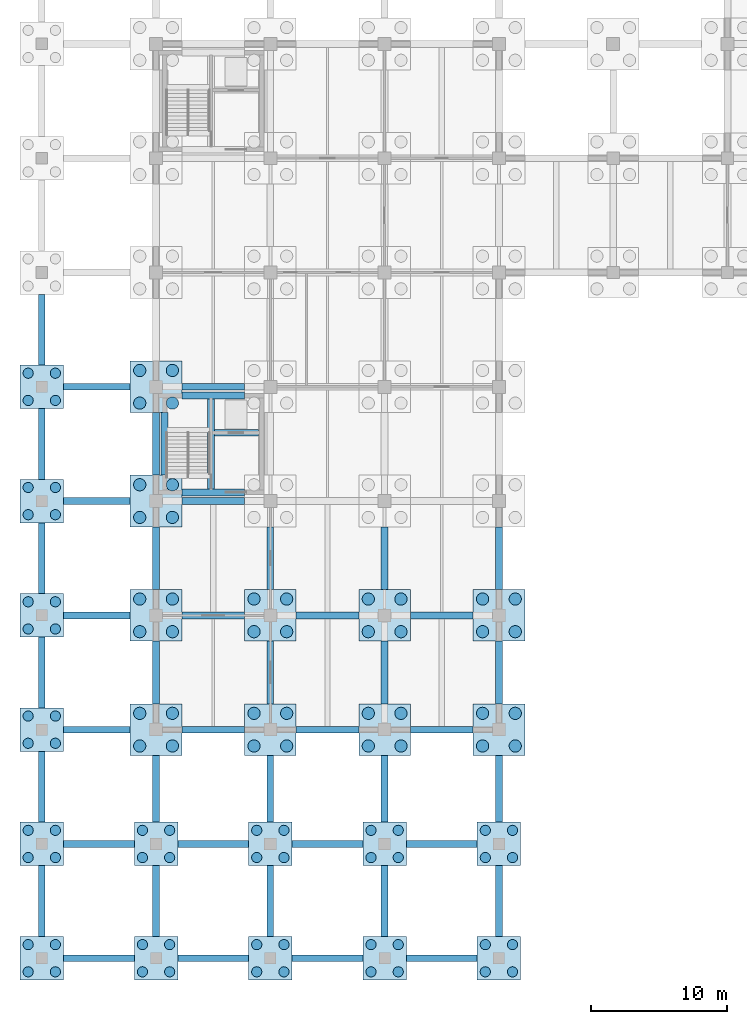
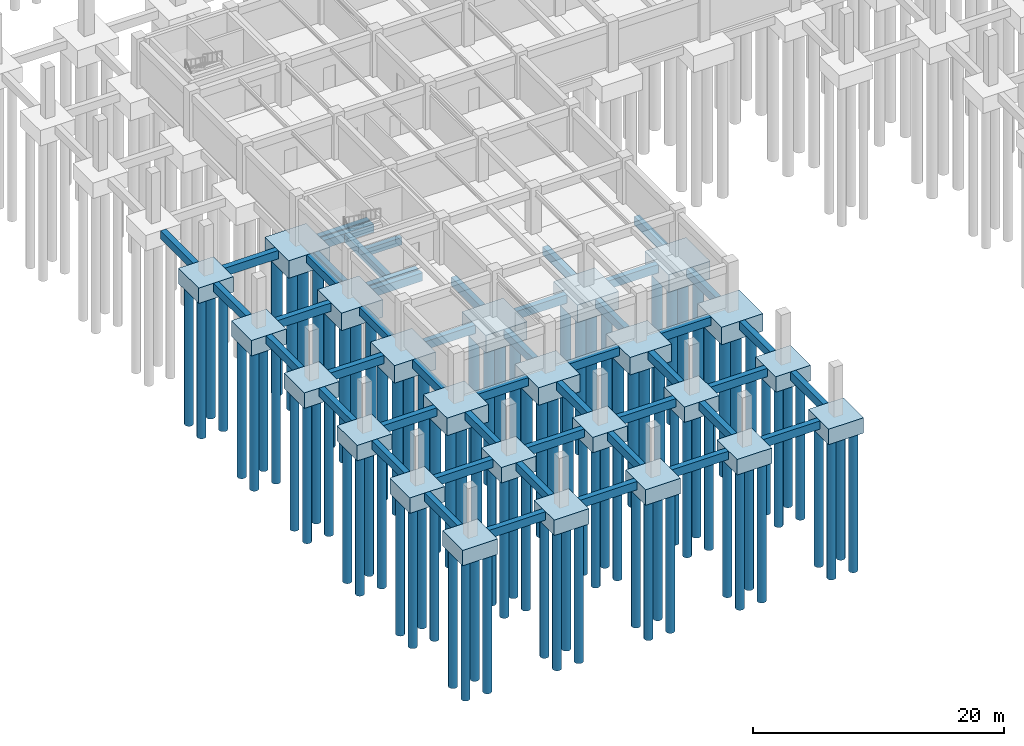
# One storey, part 1 of 29: 96 piles, 72 footings.
"""IFC4 building model written with IfcOpenShell, lengths in metres."""

from ifc_helpers import new_model, si_unit, direction, frame, origin, origin_2d, place, context, subcontext, project, spatial, rectangle, circle, extrude, material, material_profile, profile_set, type_object, element, save


model = new_model("IFC4")

# Units and contexts
model_context = context("Model", 3, precision=1e-05, world=origin(), true_north=direction((0.0, 1.0)))
body_context = subcontext(model_context, "Body", "Model", "MODEL_VIEW")
ifc_project = project(units=[si_unit("LENGTHUNIT", "METRE"), si_unit("AREAUNIT", "SQUARE_METRE"), si_unit("VOLUMEUNIT", "CUBIC_METRE"), si_unit("PLANEANGLEUNIT", "RADIAN"), si_unit("MASSUNIT", "GRAM", prefix="KILO")], contexts=[model_context])

# Site, building, storey
site_placement = place(None, origin())
site = spatial("IfcSite", under=ifc_project, at=site_placement, CompositionType="ELEMENT")
building_placement = place(site_placement, origin())
building = spatial("IfcBuilding", under=site, at=building_placement, Name="Porcellanite Civic Hall", CompositionType="ELEMENT")
storey_placement = place(building_placement, frame((0.0, 0.0, -4.5)))
storey = spatial("IfcBuildingStorey", under=building, at=storey_placement, Name="B1", CompositionType="ELEMENT", Elevation=-4.5)

# Footings
ifc_material_1 = material(Name="Concrete N40 (40 MPa)", Category="concrete")
ifc_material_profile_1 = material_profile(ifc_material_1, rectangle(XDim=0.5, YDim=0.800048828125, at=origin_2d()), Name="RC-500x800")
ifc_profile_set_1 = profile_set([ifc_material_profile_1], Name="Concrete N40 (40 MPa)")
footing_type_1 = type_object("IfcFootingType", Name="GB-01", PredefinedType="FOOTING_BEAM", material=ifc_profile_set_1)
for number, where, z_axis, x_axis, name in (
    (1, (1.60009765625, 0.0, -0.75), (1.0, 0.0, 0.0), (0.0, 1.0, 0.0), "Ground tie beam B1 0-0 X"),
    (2, (0.0, 1.60009765625, -0.75), (0.0, 1.0, 0.0), (-1.0, 0.0, 0.0), "Ground tie beam B1 0-0 Y"),
    (3, (1.60009765625, 8.39990234375, -0.75), (1.0, 0.0, 0.0), (0.0, 1.0, 0.0), "Ground tie beam B1 0-1 X"),
    (4, (0.0, 10.0, -0.75), (0.0, 1.0, 0.0), (-1.0, 0.0, 0.0), "Ground tie beam B1 0-1 Y"),
):
    element("IfcFooting", number, at=place(storey_placement, frame(where, z_axis=z_axis, x_axis=x_axis)), inside=storey, type_object=footing_type_1, Name=name, PredefinedType="FOOTING_BEAM", context=body_context, shape_type="SweptSolid", body=[
        extrude(rectangle(XDim=0.5, YDim=0.800048828125, at=origin_2d()), origin(), (0.0, 0.0, 1.0), 5.199951171875),
    ])
footing_1_placement = place(storey_placement, frame((1.60009765625, 16.800048828125, -0.75), z_axis=(1.0, 0.0, 0.0), x_axis=(0.0, 1.0, 0.0)))
element("IfcFooting", 5, at=footing_1_placement, inside=storey, type_object=footing_type_1, Name="Ground tie beam B1 0-2 X", PredefinedType="FOOTING_BEAM", context=body_context, shape_type="SweptSolid", body=[
    extrude(rectangle(XDim=0.5, YDim=0.800048828125, at=origin_2d()), origin(), (0.0, 0.0, 1.0), 4.89990234375),
])
footing_2_placement = place(storey_placement, frame((0.0, 18.39990234375, -0.75), z_axis=(0.0, 1.0, 0.0), x_axis=(-1.0, 0.0, 0.0)))
element("IfcFooting", 6, at=footing_2_placement, inside=storey, type_object=footing_type_1, Name="Ground tie beam B1 0-2 Y", PredefinedType="FOOTING_BEAM", context=body_context, shape_type="SweptSolid", body=[
    extrude(rectangle(XDim=0.5, YDim=0.800048828125, at=origin_2d()), origin(), (0.0, 0.0, 1.0), 5.2001953125),
])
footing_3_placement = place(storey_placement, frame((1.60009765625, 25.199951171875, -0.75), z_axis=(1.0, 0.0, 0.0), x_axis=(0.0, 1.0, 0.0)))
element("IfcFooting", 7, at=footing_3_placement, inside=storey, type_object=footing_type_1, Name="Ground tie beam B1 0-3 X", PredefinedType="FOOTING_BEAM", context=body_context, shape_type="SweptSolid", body=[
    extrude(rectangle(XDim=0.5, YDim=0.800048828125, at=origin_2d()), origin(), (0.0, 0.0, 1.0), 4.89990234375),
])
footing_4_placement = place(storey_placement, frame((0.0, 26.800048828125, -0.75), z_axis=(0.0, 1.0, 0.0), x_axis=(-1.0, 0.0, 0.0)))
element("IfcFooting", 8, at=footing_4_placement, inside=storey, type_object=footing_type_1, Name="Ground tie beam B1 0-3 Y", PredefinedType="FOOTING_BEAM", context=body_context, shape_type="SweptSolid", body=[
    extrude(rectangle(XDim=0.5, YDim=0.800048828125, at=origin_2d()), origin(), (0.0, 0.0, 1.0), 5.199951171875),
])
footing_5_placement = place(storey_placement, frame((1.60009765625, 33.60009765625, -0.75), z_axis=(1.0, 0.0, 0.0), x_axis=(0.0, 1.0, 0.0)))
element("IfcFooting", 9, at=footing_5_placement, inside=storey, type_object=footing_type_1, Name="Ground tie beam B1 0-4 X", PredefinedType="FOOTING_BEAM", context=body_context, shape_type="SweptSolid", body=[
    extrude(rectangle(XDim=0.5, YDim=0.800048828125, at=origin_2d()), origin(), (0.0, 0.0, 1.0), 4.89990234375),
])
footing_6_placement = place(storey_placement, frame((0.0, 35.199951171875, -0.75), z_axis=(0.0, 1.0, 0.0), x_axis=(-1.0, 0.0, 0.0)))
element("IfcFooting", 10, at=footing_6_placement, inside=storey, type_object=footing_type_1, Name="Ground tie beam B1 0-4 Y", PredefinedType="FOOTING_BEAM", context=body_context, shape_type="SweptSolid", body=[
    extrude(rectangle(XDim=0.5, YDim=0.800048828125, at=origin_2d()), origin(), (0.0, 0.0, 1.0), 5.199951171875),
])
footing_7_placement = place(storey_placement, frame((1.60009765625, 42.0, -0.75), z_axis=(1.0, 0.0, 0.0), x_axis=(0.0, 1.0, 0.0)))
element("IfcFooting", 11, at=footing_7_placement, inside=storey, type_object=footing_type_1, Name="Ground tie beam B1 0-5 X", PredefinedType="FOOTING_BEAM", context=body_context, shape_type="SweptSolid", body=[
    extrude(rectangle(XDim=0.5, YDim=0.800048828125, at=origin_2d()), origin(), (0.0, 0.0, 1.0), 4.89990234375),
])
for number, where, z_axis, x_axis, name in (
    (12, (0.0, 43.60009765625, -0.75), (0.0, 1.0, 0.0), (-1.0, 0.0, 0.0), "Ground tie beam B1 0-5 Y"),
    (13, (10.0, 0.0, -0.75), (1.0, 0.0, 0.0), (0.0, 1.0, 0.0), "Ground tie beam B1 1-0 X"),
    (14, (8.39990234375, 1.60009765625, -0.75), (0.0, 1.0, 0.0), (-1.0, 0.0, 0.0), "Ground tie beam B1 1-0 Y"),
    (15, (10.0, 8.39990234375, -0.75), (1.0, 0.0, 0.0), (0.0, 1.0, 0.0), "Ground tie beam B1 1-1 X"),
):
    element("IfcFooting", number, at=place(storey_placement, frame(where, z_axis=z_axis, x_axis=x_axis)), inside=storey, type_object=footing_type_1, Name=name, PredefinedType="FOOTING_BEAM", context=body_context, shape_type="SweptSolid", body=[
        extrude(rectangle(XDim=0.5, YDim=0.800048828125, at=origin_2d()), origin(), (0.0, 0.0, 1.0), 5.199951171875),
    ])
footing_8_placement = place(storey_placement, frame((8.39990234375, 10.0, -0.75), z_axis=(0.0, 1.0, 0.0), x_axis=(-1.0, 0.0, 0.0)))
element("IfcFooting", 16, at=footing_8_placement, inside=storey, type_object=footing_type_1, Name="Ground tie beam B1 1-1 Y", PredefinedType="FOOTING_BEAM", context=body_context, shape_type="SweptSolid", body=[
    extrude(rectangle(XDim=0.5, YDim=0.800048828125, at=origin_2d()), origin(), (0.0, 0.0, 1.0), 4.89990234375),
])
footing_9_placement = place(storey_placement, frame((10.300048828125, 16.800048828125, -0.75), z_axis=(1.0, 0.0, 0.0), x_axis=(0.0, 1.0, 0.0)))
element("IfcFooting", 17, at=footing_9_placement, inside=storey, type_object=footing_type_1, Name="Ground tie beam B1 1-2 X", PredefinedType="FOOTING_BEAM", context=body_context, shape_type="SweptSolid", body=[
    extrude(rectangle(XDim=0.5, YDim=0.800048828125, at=origin_2d()), origin(), (0.0, 0.0, 1.0), 4.599853515625),
])
footing_10_placement = place(storey_placement, frame((8.39990234375, 18.699951171875, -0.75), z_axis=(0.0, 1.0, 0.0), x_axis=(-1.0, 0.0, 0.0)))
element("IfcFooting", 18, at=footing_10_placement, inside=storey, type_object=footing_type_1, Name="Ground tie beam B1 1-2 Y", PredefinedType="FOOTING_BEAM", context=body_context, shape_type="SweptSolid", body=[
    extrude(rectangle(XDim=0.5, YDim=0.800048828125, at=origin_2d()), origin(), (0.0, 0.0, 1.0), 4.60009765625),
])
for number, where, z_axis, x_axis, name in (
    (19, (10.300048828125, 25.199951171875, -0.75), (1.0, 0.0, 0.0), (0.0, 1.0, 0.0), "Ground tie beam B1 1-3 X"),
    (20, (8.39990234375, 27.10009765625, -0.75), (0.0, 1.0, 0.0), (-1.0, 0.0, 0.0), "Ground tie beam B1 1-3 Y"),
    (21, (10.300048828125, 33.60009765625, -0.75), (1.0, 0.0, 0.0), (0.0, 1.0, 0.0), "Ground tie beam B1 1-4 X"),
):
    element("IfcFooting", number, at=place(storey_placement, frame(where, z_axis=z_axis, x_axis=x_axis)), inside=storey, type_object=footing_type_1, Name=name, PredefinedType="FOOTING_BEAM", context=body_context, shape_type="SweptSolid", body=[
        extrude(rectangle(XDim=0.5, YDim=0.800048828125, at=origin_2d()), origin(), (0.0, 0.0, 1.0), 4.599853515625),
    ])
footing_11_placement = place(storey_placement, frame((8.39990234375, 35.5, -0.75), z_axis=(0.0, 1.0, 0.0), x_axis=(-1.0, 0.0, 0.0)))
element("IfcFooting", 22, at=footing_11_placement, inside=storey, type_object=footing_type_1, Name="Ground tie beam B1 1-4 Y", PredefinedType="FOOTING_BEAM", context=body_context, shape_type="SweptSolid", body=[
    extrude(rectangle(XDim=0.5, YDim=0.800048828125, at=origin_2d()), origin(), (0.0, 0.0, 1.0), 4.60009765625),
])
footing_12_placement = place(storey_placement, frame((10.300048828125, 42.0, -0.75), z_axis=(1.0, 0.0, 0.0), x_axis=(0.0, 1.0, 0.0)))
element("IfcFooting", 23, at=footing_12_placement, inside=storey, type_object=footing_type_1, Name="Ground tie beam B1 1-5 X", PredefinedType="FOOTING_BEAM", context=body_context, shape_type="SweptSolid", body=[
    extrude(rectangle(XDim=0.5, YDim=0.800048828125, at=origin_2d()), origin(), (0.0, 0.0, 1.0), 4.599853515625),
])
footing_13_placement = place(storey_placement, frame((18.39990234375, 0.0, -0.75), z_axis=(1.0, 0.0, 0.0), x_axis=(0.0, 1.0, 0.0)))
element("IfcFooting", 24, at=footing_13_placement, inside=storey, type_object=footing_type_1, Name="Ground tie beam B1 2-0 X", PredefinedType="FOOTING_BEAM", context=body_context, shape_type="SweptSolid", body=[
    extrude(rectangle(XDim=0.5, YDim=0.800048828125, at=origin_2d()), origin(), (0.0, 0.0, 1.0), 5.2001953125),
])
footing_14_placement = place(storey_placement, frame((16.800048828125, 1.60009765625, -0.75), z_axis=(0.0, 1.0, 0.0), x_axis=(-1.0, 0.0, 0.0)))
element("IfcFooting", 25, at=footing_14_placement, inside=storey, type_object=footing_type_1, Name="Ground tie beam B1 2-0 Y", PredefinedType="FOOTING_BEAM", context=body_context, shape_type="SweptSolid", body=[
    extrude(rectangle(XDim=0.5, YDim=0.800048828125, at=origin_2d()), origin(), (0.0, 0.0, 1.0), 5.199951171875),
])
footing_15_placement = place(storey_placement, frame((18.39990234375, 8.39990234375, -0.75), z_axis=(1.0, 0.0, 0.0), x_axis=(0.0, 1.0, 0.0)))
element("IfcFooting", 26, at=footing_15_placement, inside=storey, type_object=footing_type_1, Name="Ground tie beam B1 2-1 X", PredefinedType="FOOTING_BEAM", context=body_context, shape_type="SweptSolid", body=[
    extrude(rectangle(XDim=0.5, YDim=0.800048828125, at=origin_2d()), origin(), (0.0, 0.0, 1.0), 5.2001953125),
])
footing_16_placement = place(storey_placement, frame((16.800048828125, 10.0, -0.75), z_axis=(0.0, 1.0, 0.0), x_axis=(-1.0, 0.0, 0.0)))
element("IfcFooting", 27, at=footing_16_placement, inside=storey, type_object=footing_type_1, Name="Ground tie beam B1 2-1 Y", PredefinedType="FOOTING_BEAM", context=body_context, shape_type="SweptSolid", body=[
    extrude(rectangle(XDim=0.5, YDim=0.800048828125, at=origin_2d()), origin(), (0.0, 0.0, 1.0), 4.89990234375),
])
for number, where, z_axis, x_axis, name in (
    (28, (18.699951171875, 16.800048828125, -0.75), (1.0, 0.0, 0.0), (0.0, 1.0, 0.0), "Ground tie beam B1 2-2 X"),
    (29, (16.800048828125, 18.699951171875, -0.75), (0.0, 1.0, 0.0), (-1.0, 0.0, 0.0), "Ground tie beam B1 2-2 Y"),
    (30, (18.699951171875, 25.199951171875, -0.75), (1.0, 0.0, 0.0), (0.0, 1.0, 0.0), "Ground tie beam B1 2-3 X"),
):
    element("IfcFooting", number, at=place(storey_placement, frame(where, z_axis=z_axis, x_axis=x_axis)), inside=storey, type_object=footing_type_1, Name=name, PredefinedType="FOOTING_BEAM", context=body_context, shape_type="SweptSolid", body=[
        extrude(rectangle(XDim=0.5, YDim=0.800048828125, at=origin_2d()), origin(), (0.0, 0.0, 1.0), 4.60009765625),
    ])
footing_17_placement = place(storey_placement, frame((16.800048828125, 27.10009765625, -0.75), z_axis=(0.0, 1.0, 0.0), x_axis=(-1.0, 0.0, 0.0)))
element("IfcFooting", 31, at=footing_17_placement, inside=storey, type_object=footing_type_1, Name="Ground tie beam B1 2-3 Y", PredefinedType="FOOTING_BEAM", context=body_context, shape_type="SweptSolid", body=[
    extrude(rectangle(XDim=0.5, YDim=0.800048828125, at=origin_2d()), origin(), (0.0, 0.0, 1.0), 4.599853515625),
])
for number, where, z_axis, x_axis, name in (
    (32, (26.800048828125, 0.0, -0.75), (1.0, 0.0, 0.0), (0.0, 1.0, 0.0), "Ground tie beam B1 3-0 X"),
    (33, (25.199951171875, 1.60009765625, -0.75), (0.0, 1.0, 0.0), (-1.0, 0.0, 0.0), "Ground tie beam B1 3-0 Y"),
    (34, (26.800048828125, 8.39990234375, -0.75), (1.0, 0.0, 0.0), (0.0, 1.0, 0.0), "Ground tie beam B1 3-1 X"),
):
    element("IfcFooting", number, at=place(storey_placement, frame(where, z_axis=z_axis, x_axis=x_axis)), inside=storey, type_object=footing_type_1, Name=name, PredefinedType="FOOTING_BEAM", context=body_context, shape_type="SweptSolid", body=[
        extrude(rectangle(XDim=0.5, YDim=0.800048828125, at=origin_2d()), origin(), (0.0, 0.0, 1.0), 5.199951171875),
    ])
footing_18_placement = place(storey_placement, frame((25.199951171875, 10.0, -0.75), z_axis=(0.0, 1.0, 0.0), x_axis=(-1.0, 0.0, 0.0)))
element("IfcFooting", 35, at=footing_18_placement, inside=storey, type_object=footing_type_1, Name="Ground tie beam B1 3-1 Y", PredefinedType="FOOTING_BEAM", context=body_context, shape_type="SweptSolid", body=[
    extrude(rectangle(XDim=0.5, YDim=0.800048828125, at=origin_2d()), origin(), (0.0, 0.0, 1.0), 4.89990234375),
])
footing_19_placement = place(storey_placement, frame((27.10009765625, 16.800048828125, -0.75), z_axis=(1.0, 0.0, 0.0), x_axis=(0.0, 1.0, 0.0)))
element("IfcFooting", 36, at=footing_19_placement, inside=storey, type_object=footing_type_1, Name="Ground tie beam B1 3-2 X", PredefinedType="FOOTING_BEAM", context=body_context, shape_type="SweptSolid", body=[
    extrude(rectangle(XDim=0.5, YDim=0.800048828125, at=origin_2d()), origin(), (0.0, 0.0, 1.0), 4.599853515625),
])
footing_20_placement = place(storey_placement, frame((25.199951171875, 18.699951171875, -0.75), z_axis=(0.0, 1.0, 0.0), x_axis=(-1.0, 0.0, 0.0)))
element("IfcFooting", 37, at=footing_20_placement, inside=storey, type_object=footing_type_1, Name="Ground tie beam B1 3-2 Y", PredefinedType="FOOTING_BEAM", context=body_context, shape_type="SweptSolid", body=[
    extrude(rectangle(XDim=0.5, YDim=0.800048828125, at=origin_2d()), origin(), (0.0, 0.0, 1.0), 4.60009765625),
])
for number, where, z_axis, x_axis, name in (
    (38, (27.10009765625, 25.199951171875, -0.75), (1.0, 0.0, 0.0), (0.0, 1.0, 0.0), "Ground tie beam B1 3-3 X"),
    (39, (25.199951171875, 27.10009765625, -0.75), (0.0, 1.0, 0.0), (-1.0, 0.0, 0.0), "Ground tie beam B1 3-3 Y"),
):
    element("IfcFooting", number, at=place(storey_placement, frame(where, z_axis=z_axis, x_axis=x_axis)), inside=storey, type_object=footing_type_1, Name=name, PredefinedType="FOOTING_BEAM", context=body_context, shape_type="SweptSolid", body=[
        extrude(rectangle(XDim=0.5, YDim=0.800048828125, at=origin_2d()), origin(), (0.0, 0.0, 1.0), 4.599853515625),
    ])
footing_21_placement = place(storey_placement, frame((33.60009765625, 1.60009765625, -0.75), z_axis=(0.0, 1.0, 0.0), x_axis=(-1.0, 0.0, 0.0)))
element("IfcFooting", 40, at=footing_21_placement, inside=storey, type_object=footing_type_1, Name="Ground tie beam B1 4-0 Y", PredefinedType="FOOTING_BEAM", context=body_context, shape_type="SweptSolid", body=[
    extrude(rectangle(XDim=0.5, YDim=0.800048828125, at=origin_2d()), origin(), (0.0, 0.0, 1.0), 5.199951171875),
])
footing_22_placement = place(storey_placement, frame((33.60009765625, 10.0, -0.75), z_axis=(0.0, 1.0, 0.0), x_axis=(-1.0, 0.0, 0.0)))
element("IfcFooting", 41, at=footing_22_placement, inside=storey, type_object=footing_type_1, Name="Ground tie beam B1 4-1 Y", PredefinedType="FOOTING_BEAM", context=body_context, shape_type="SweptSolid", body=[
    extrude(rectangle(XDim=0.5, YDim=0.800048828125, at=origin_2d()), origin(), (0.0, 0.0, 1.0), 4.89990234375),
])
footing_23_placement = place(storey_placement, frame((33.60009765625, 18.699951171875, -0.75), z_axis=(0.0, 1.0, 0.0), x_axis=(-1.0, 0.0, 0.0)))
element("IfcFooting", 42, at=footing_23_placement, inside=storey, type_object=footing_type_1, Name="Ground tie beam B1 4-2 Y", PredefinedType="FOOTING_BEAM", context=body_context, shape_type="SweptSolid", body=[
    extrude(rectangle(XDim=0.5, YDim=0.800048828125, at=origin_2d()), origin(), (0.0, 0.0, 1.0), 4.60009765625),
])
for number, where, z_axis, x_axis, name in (
    (43, (33.60009765625, 27.10009765625, -0.75), (0.0, 1.0, 0.0), (-1.0, 0.0, 0.0), "Ground tie beam B1 4-3 Y"),
    (44, (10.300048828125, 34.22998046875, -0.75), (1.0, 0.0, 0.0), (0.0, 1.0, 0.0), "Core strip footing C1 S"),
    (45, (10.300048828125, 41.3701171875, -0.75), (1.0, 0.0, 0.0), (0.0, 1.0, 0.0), "Core strip footing C1 N"),
):
    element("IfcFooting", number, at=place(storey_placement, frame(where, z_axis=z_axis, x_axis=x_axis)), inside=storey, type_object=footing_type_1, Name=name, PredefinedType="FOOTING_BEAM", context=body_context, shape_type="SweptSolid", body=[
        extrude(rectangle(XDim=0.5, YDim=0.800048828125, at=origin_2d()), origin(), (0.0, 0.0, 1.0), 4.599853515625),
    ])
footing_24_placement = place(storey_placement, frame((9.030029296875, 35.5, -0.75), z_axis=(0.0, 1.0, 0.0), x_axis=(-1.0, 0.0, 0.0)))
element("IfcFooting", 46, at=footing_24_placement, inside=storey, type_object=footing_type_1, Name="Core strip footing C1 W", PredefinedType="FOOTING_BEAM", context=body_context, shape_type="SweptSolid", body=[
    extrude(rectangle(XDim=0.5, YDim=0.800048828125, at=origin_2d()), origin(), (0.0, 0.0, 1.0), 4.60009765625),
])
footing_25_placement = place(storey_placement, frame((12.43994140625, 34.47998046875, -0.75), z_axis=(0.0, 1.0, 0.0), x_axis=(-1.0, 0.0, 0.0)))
element("IfcFooting", 47, at=footing_25_placement, inside=storey, type_object=footing_type_1, Name="Core strip footing C1 DIV", PredefinedType="FOOTING_BEAM", context=body_context, shape_type="SweptSolid", body=[
    extrude(rectangle(XDim=0.5, YDim=0.800048828125, at=origin_2d()), origin(), (0.0, 0.0, 1.0), 6.64013671875),
])
ifc_material_2 = material(Name="Concrete N40 (40 MPa)", Category="concrete")
ifc_material_profile_2 = material_profile(ifc_material_2, rectangle(XDim=0.449951171875, YDim=0.699951171875, at=origin_2d()), Name="RC-450x700")
ifc_profile_set_2 = profile_set([ifc_material_profile_2], Name="Concrete N40 (40 MPa)")
footing_type_2 = type_object("IfcFootingType", Name="GB-03", PredefinedType="FOOTING_BEAM", material=ifc_profile_set_2)
footing_26_placement = place(storey_placement, frame((12.68994140625, 38.6201171875, -0.699951171875), z_axis=(1.0, 0.0, 0.0), x_axis=(0.0, 1.0, 0.0)))
element("IfcFooting", 48, at=footing_26_placement, inside=storey, type_object=footing_type_2, Name="Core lift wall footing C1", PredefinedType="FOOTING_BEAM", context=body_context, shape_type="SweptSolid", body=[
    extrude(rectangle(XDim=0.449951171875, YDim=0.699951171875, at=origin_2d()), origin(), (0.0, 0.0, 1.0), 3.22998046875),
])
ifc_material_3 = material(Name="Concrete N40 (40 MPa)", Category="concrete")
footing_type_3 = type_object("IfcFootingType", Name="PC-02", PredefinedType="PILE_CAP", material=ifc_material_3)
for number, where, z_axis, x_axis, name in (
    (49, (0.0, 0.0, -1.85009765625), (0.0, 0.0, 1.0), (1.0, 0.0, 0.0), "Pile cap 0-0"),
    (50, (0.0, 8.39990234375, -1.85009765625), (0.0, 0.0, 1.0), (1.0, 0.0, 0.0), "Pile cap 0-1"),
    (51, (0.0, 16.800048828125, -1.85009765625), (0.0, 0.0, 1.0), (1.0, 0.0, 0.0), "Pile cap 0-2"),
    (52, (0.0, 25.199951171875, -1.85009765625), (0.0, 0.0, 1.0), (1.0, 0.0, 0.0), "Pile cap 0-3"),
    (53, (0.0, 33.60009765625, -1.85009765625), (0.0, 0.0, 1.0), (1.0, 0.0, 0.0), "Pile cap 0-4"),
    (54, (0.0, 42.0, -1.85009765625), (0.0, 0.0, 1.0), (1.0, 0.0, 0.0), "Pile cap 0-5"),
    (55, (8.39990234375, 0.0, -1.85009765625), (0.0, 0.0, 1.0), (1.0, 0.0, 0.0), "Pile cap 1-0"),
    (56, (8.39990234375, 8.39990234375, -1.85009765625), (0.0, 0.0, 1.0), (1.0, 0.0, 0.0), "Pile cap 1-1"),
    (57, (16.800048828125, 0.0, -1.85009765625), (0.0, 0.0, 1.0), (1.0, 0.0, 0.0), "Pile cap 2-0"),
    (58, (16.800048828125, 8.39990234375, -1.85009765625), (0.0, 0.0, 1.0), (1.0, 0.0, 0.0), "Pile cap 2-1"),
    (59, (25.199951171875, 0.0, -1.85009765625), (0.0, 0.0, 1.0), (1.0, 0.0, 0.0), "Pile cap 3-0"),
    (60, (25.199951171875, 8.39990234375, -1.85009765625), (0.0, 0.0, 1.0), (1.0, 0.0, 0.0), "Pile cap 3-1"),
    (61, (33.60009765625, 0.0, -1.85009765625), (0.0, 0.0, 1.0), (1.0, 0.0, 0.0), "Pile cap 4-0"),
    (62, (33.60009765625, 8.39990234375, -1.85009765625), (0.0, 0.0, 1.0), (1.0, 0.0, 0.0), "Pile cap 4-1"),
):
    element("IfcFooting", number, at=place(storey_placement, frame(where, z_axis=z_axis, x_axis=x_axis)), inside=storey, type_object=footing_type_3, Name=name, PredefinedType="PILE_CAP", context=body_context, shape_type="SweptSolid", body=[
        extrude(rectangle(XDim=3.199951171875, YDim=3.199951171875, at=origin_2d()), origin(), (0.0, 0.0, 1.0), 1.5),
    ])
ifc_material_4 = material(Name="Concrete N40 (40 MPa)", Category="concrete")
footing_type_4 = type_object("IfcFootingType", Name="PC-04", PredefinedType="PILE_CAP", material=ifc_material_4)
for number, where, z_axis, x_axis, name in (
    (63, (8.39990234375, 16.800048828125, -2.0498046875), (0.0, 0.0, 1.0), (1.0, 0.0, 0.0), "Pile cap 1-2"),
    (64, (8.39990234375, 25.199951171875, -2.0498046875), (0.0, 0.0, 1.0), (1.0, 0.0, 0.0), "Pile cap 1-3"),
    (65, (8.39990234375, 33.60009765625, -2.0498046875), (0.0, 0.0, 1.0), (1.0, 0.0, 0.0), "Pile cap 1-4"),
    (66, (8.39990234375, 42.0, -2.0498046875), (0.0, 0.0, 1.0), (1.0, 0.0, 0.0), "Pile cap 1-5"),
    (67, (16.800048828125, 16.800048828125, -2.0498046875), (0.0, 0.0, 1.0), (1.0, 0.0, 0.0), "Pile cap 2-2"),
    (68, (16.800048828125, 25.199951171875, -2.0498046875), (0.0, 0.0, 1.0), (1.0, 0.0, 0.0), "Pile cap 2-3"),
    (69, (25.199951171875, 16.800048828125, -2.0498046875), (0.0, 0.0, 1.0), (1.0, 0.0, 0.0), "Pile cap 3-2"),
    (70, (25.199951171875, 25.199951171875, -2.0498046875), (0.0, 0.0, 1.0), (1.0, 0.0, 0.0), "Pile cap 3-3"),
    (71, (33.60009765625, 16.800048828125, -2.0498046875), (0.0, 0.0, 1.0), (1.0, 0.0, 0.0), "Pile cap 4-2"),
    (72, (33.60009765625, 25.199951171875, -2.0498046875), (0.0, 0.0, 1.0), (1.0, 0.0, 0.0), "Pile cap 4-3"),
):
    element("IfcFooting", number, at=place(storey_placement, frame(where, z_axis=z_axis, x_axis=x_axis)), inside=storey, type_object=footing_type_4, Name=name, PredefinedType="PILE_CAP", context=body_context, shape_type="SweptSolid", body=[
        extrude(rectangle(XDim=3.800048828125, YDim=3.800048828125, at=origin_2d()), origin(), (0.0, 0.0, 1.0), 1.699951171875),
    ])

# Piles
ifc_material_5 = material(Name="Concrete N40 (40 MPa)", Category="concrete")
ifc_material_profile_3 = material_profile(ifc_material_5, circle(Radius=0.375, at=origin_2d()), Name="PILE-D750")
ifc_profile_set_3 = profile_set([ifc_material_profile_3], Name="Concrete N40 (40 MPa)")
pile_type_1 = type_object("IfcPileType", Name="PL-750", PredefinedType="BORED", material=ifc_profile_set_3)
for number, where, z_axis, x_axis, name in (
    (73, (-1.0, -1.0, -1.85009765625), (0.0, 0.0, -1.0), (1.0, 0.0, 0.0), "Bored pile 0-0-1"),
    (74, (-1.0, 1.0, -1.85009765625), (0.0, 0.0, -1.0), (1.0, 0.0, 0.0), "Bored pile 0-0-2"),
    (75, (1.0, -1.0, -1.85009765625), (0.0, 0.0, -1.0), (1.0, 0.0, 0.0), "Bored pile 0-0-3"),
    (76, (1.0, 1.0, -1.85009765625), (0.0, 0.0, -1.0), (1.0, 0.0, 0.0), "Bored pile 0-0-4"),
    (77, (-1.0, 7.39990234375, -1.85009765625), (0.0, 0.0, -1.0), (1.0, 0.0, 0.0), "Bored pile 0-1-1"),
    (78, (-1.0, 9.39990234375, -1.85009765625), (0.0, 0.0, -1.0), (1.0, 0.0, 0.0), "Bored pile 0-1-2"),
    (79, (1.0, 7.39990234375, -1.85009765625), (0.0, 0.0, -1.0), (1.0, 0.0, 0.0), "Bored pile 0-1-3"),
    (80, (1.0, 9.39990234375, -1.85009765625), (0.0, 0.0, -1.0), (1.0, 0.0, 0.0), "Bored pile 0-1-4"),
    (81, (-1.0, 15.800048828125, -1.85009765625), (0.0, 0.0, -1.0), (1.0, 0.0, 0.0), "Bored pile 0-2-1"),
    (82, (-1.0, 17.800048828125, -1.85009765625), (0.0, 0.0, -1.0), (1.0, 0.0, 0.0), "Bored pile 0-2-2"),
    (83, (1.0, 15.800048828125, -1.85009765625), (0.0, 0.0, -1.0), (1.0, 0.0, 0.0), "Bored pile 0-2-3"),
    (84, (1.0, 17.800048828125, -1.85009765625), (0.0, 0.0, -1.0), (1.0, 0.0, 0.0), "Bored pile 0-2-4"),
    (85, (-1.0, 24.199951171875, -1.85009765625), (0.0, 0.0, -1.0), (1.0, 0.0, 0.0), "Bored pile 0-3-1"),
    (86, (-1.0, 26.199951171875, -1.85009765625), (0.0, 0.0, -1.0), (1.0, 0.0, 0.0), "Bored pile 0-3-2"),
    (87, (1.0, 24.199951171875, -1.85009765625), (0.0, 0.0, -1.0), (1.0, 0.0, 0.0), "Bored pile 0-3-3"),
    (88, (1.0, 26.199951171875, -1.85009765625), (0.0, 0.0, -1.0), (1.0, 0.0, 0.0), "Bored pile 0-3-4"),
    (89, (-1.0, 32.60009765625, -1.85009765625), (0.0, 0.0, -1.0), (1.0, 0.0, 0.0), "Bored pile 0-4-1"),
    (90, (-1.0, 34.60009765625, -1.85009765625), (0.0, 0.0, -1.0), (1.0, 0.0, 0.0), "Bored pile 0-4-2"),
    (91, (1.0, 32.60009765625, -1.85009765625), (0.0, 0.0, -1.0), (1.0, 0.0, 0.0), "Bored pile 0-4-3"),
    (92, (1.0, 34.60009765625, -1.85009765625), (0.0, 0.0, -1.0), (1.0, 0.0, 0.0), "Bored pile 0-4-4"),
    (93, (-1.0, 41.0, -1.85009765625), (0.0, 0.0, -1.0), (1.0, 0.0, 0.0), "Bored pile 0-5-1"),
    (94, (-1.0, 43.0, -1.85009765625), (0.0, 0.0, -1.0), (1.0, 0.0, 0.0), "Bored pile 0-5-2"),
    (95, (1.0, 41.0, -1.85009765625), (0.0, 0.0, -1.0), (1.0, 0.0, 0.0), "Bored pile 0-5-3"),
    (96, (1.0, 43.0, -1.85009765625), (0.0, 0.0, -1.0), (1.0, 0.0, 0.0), "Bored pile 0-5-4"),
    (97, (7.39990234375, -1.0, -1.85009765625), (0.0, 0.0, -1.0), (1.0, 0.0, 0.0), "Bored pile 1-0-1"),
    (98, (7.39990234375, 1.0, -1.85009765625), (0.0, 0.0, -1.0), (1.0, 0.0, 0.0), "Bored pile 1-0-2"),
    (99, (9.39990234375, -1.0, -1.85009765625), (0.0, 0.0, -1.0), (1.0, 0.0, 0.0), "Bored pile 1-0-3"),
    (100, (9.39990234375, 1.0, -1.85009765625), (0.0, 0.0, -1.0), (1.0, 0.0, 0.0), "Bored pile 1-0-4"),
    (101, (7.39990234375, 7.39990234375, -1.85009765625), (0.0, 0.0, -1.0), (1.0, 0.0, 0.0), "Bored pile 1-1-1"),
    (102, (7.39990234375, 9.39990234375, -1.85009765625), (0.0, 0.0, -1.0), (1.0, 0.0, 0.0), "Bored pile 1-1-2"),
    (103, (9.39990234375, 7.39990234375, -1.85009765625), (0.0, 0.0, -1.0), (1.0, 0.0, 0.0), "Bored pile 1-1-3"),
    (104, (9.39990234375, 9.39990234375, -1.85009765625), (0.0, 0.0, -1.0), (1.0, 0.0, 0.0), "Bored pile 1-1-4"),
    (105, (15.800048828125, -1.0, -1.85009765625), (0.0, 0.0, -1.0), (1.0, 0.0, 0.0), "Bored pile 2-0-1"),
    (106, (15.800048828125, 1.0, -1.85009765625), (0.0, 0.0, -1.0), (1.0, 0.0, 0.0), "Bored pile 2-0-2"),
    (107, (17.800048828125, -1.0, -1.85009765625), (0.0, 0.0, -1.0), (1.0, 0.0, 0.0), "Bored pile 2-0-3"),
    (108, (17.800048828125, 1.0, -1.85009765625), (0.0, 0.0, -1.0), (1.0, 0.0, 0.0), "Bored pile 2-0-4"),
    (109, (15.800048828125, 7.39990234375, -1.85009765625), (0.0, 0.0, -1.0), (1.0, 0.0, 0.0), "Bored pile 2-1-1"),
    (110, (15.800048828125, 9.39990234375, -1.85009765625), (0.0, 0.0, -1.0), (1.0, 0.0, 0.0), "Bored pile 2-1-2"),
    (111, (17.800048828125, 7.39990234375, -1.85009765625), (0.0, 0.0, -1.0), (1.0, 0.0, 0.0), "Bored pile 2-1-3"),
    (112, (17.800048828125, 9.39990234375, -1.85009765625), (0.0, 0.0, -1.0), (1.0, 0.0, 0.0), "Bored pile 2-1-4"),
    (113, (24.199951171875, -1.0, -1.85009765625), (0.0, 0.0, -1.0), (1.0, 0.0, 0.0), "Bored pile 3-0-1"),
    (114, (24.199951171875, 1.0, -1.85009765625), (0.0, 0.0, -1.0), (1.0, 0.0, 0.0), "Bored pile 3-0-2"),
    (115, (26.199951171875, -1.0, -1.85009765625), (0.0, 0.0, -1.0), (1.0, 0.0, 0.0), "Bored pile 3-0-3"),
    (116, (26.199951171875, 1.0, -1.85009765625), (0.0, 0.0, -1.0), (1.0, 0.0, 0.0), "Bored pile 3-0-4"),
    (117, (24.199951171875, 7.39990234375, -1.85009765625), (0.0, 0.0, -1.0), (1.0, 0.0, 0.0), "Bored pile 3-1-1"),
    (118, (24.199951171875, 9.39990234375, -1.85009765625), (0.0, 0.0, -1.0), (1.0, 0.0, 0.0), "Bored pile 3-1-2"),
    (119, (26.199951171875, 7.39990234375, -1.85009765625), (0.0, 0.0, -1.0), (1.0, 0.0, 0.0), "Bored pile 3-1-3"),
    (120, (26.199951171875, 9.39990234375, -1.85009765625), (0.0, 0.0, -1.0), (1.0, 0.0, 0.0), "Bored pile 3-1-4"),
    (121, (32.60009765625, -1.0, -1.85009765625), (0.0, 0.0, -1.0), (1.0, 0.0, 0.0), "Bored pile 4-0-1"),
    (122, (32.60009765625, 1.0, -1.85009765625), (0.0, 0.0, -1.0), (1.0, 0.0, 0.0), "Bored pile 4-0-2"),
    (123, (34.60009765625, -1.0, -1.85009765625), (0.0, 0.0, -1.0), (1.0, 0.0, 0.0), "Bored pile 4-0-3"),
    (124, (34.60009765625, 1.0, -1.85009765625), (0.0, 0.0, -1.0), (1.0, 0.0, 0.0), "Bored pile 4-0-4"),
    (125, (32.60009765625, 7.39990234375, -1.85009765625), (0.0, 0.0, -1.0), (1.0, 0.0, 0.0), "Bored pile 4-1-1"),
    (126, (32.60009765625, 9.39990234375, -1.85009765625), (0.0, 0.0, -1.0), (1.0, 0.0, 0.0), "Bored pile 4-1-2"),
    (127, (34.60009765625, 7.39990234375, -1.85009765625), (0.0, 0.0, -1.0), (1.0, 0.0, 0.0), "Bored pile 4-1-3"),
    (128, (34.60009765625, 9.39990234375, -1.85009765625), (0.0, 0.0, -1.0), (1.0, 0.0, 0.0), "Bored pile 4-1-4"),
):
    element("IfcPile", number, at=place(storey_placement, frame(where, z_axis=z_axis, x_axis=x_axis)), inside=storey, type_object=pile_type_1, Name=name, PredefinedType="BORED", context=body_context, shape_type="SweptSolid", body=[
        extrude(circle(Radius=0.375, at=origin_2d()), origin(), (0.0, 0.0, 1.0), 13.449951171875),
    ])
ifc_material_6 = material(Name="Concrete N40 (40 MPa)", Category="concrete")
ifc_material_profile_4 = material_profile(ifc_material_6, circle(Radius=0.449951171875, at=origin_2d()), Name="PILE-D900")
ifc_profile_set_4 = profile_set([ifc_material_profile_4], Name="Concrete N40 (40 MPa)")
pile_type_2 = type_object("IfcPileType", Name="PL-900", PredefinedType="BORED", material=ifc_profile_set_4)
for number, where, z_axis, x_axis, name in (
    (129, (7.199951171875, 15.60009765625, -2.050048828125), (0.0, 0.0, -1.0), (1.0, 0.0, 0.0), "Bored pile 1-2-1"),
    (130, (7.199951171875, 18.0, -2.050048828125), (0.0, 0.0, -1.0), (1.0, 0.0, 0.0), "Bored pile 1-2-2"),
    (131, (9.60009765625, 15.60009765625, -2.050048828125), (0.0, 0.0, -1.0), (1.0, 0.0, 0.0), "Bored pile 1-2-3"),
    (132, (9.60009765625, 18.0, -2.050048828125), (0.0, 0.0, -1.0), (1.0, 0.0, 0.0), "Bored pile 1-2-4"),
    (133, (7.199951171875, 24.0, -2.050048828125), (0.0, 0.0, -1.0), (1.0, 0.0, 0.0), "Bored pile 1-3-1"),
    (134, (7.199951171875, 26.39990234375, -2.050048828125), (0.0, 0.0, -1.0), (1.0, 0.0, 0.0), "Bored pile 1-3-2"),
    (135, (9.60009765625, 24.0, -2.050048828125), (0.0, 0.0, -1.0), (1.0, 0.0, 0.0), "Bored pile 1-3-3"),
    (136, (9.60009765625, 26.39990234375, -2.050048828125), (0.0, 0.0, -1.0), (1.0, 0.0, 0.0), "Bored pile 1-3-4"),
    (137, (7.199951171875, 32.39990234375, -2.050048828125), (0.0, 0.0, -1.0), (1.0, 0.0, 0.0), "Bored pile 1-4-1"),
    (138, (7.199951171875, 34.800048828125, -2.050048828125), (0.0, 0.0, -1.0), (1.0, 0.0, 0.0), "Bored pile 1-4-2"),
    (139, (9.60009765625, 32.39990234375, -2.050048828125), (0.0, 0.0, -1.0), (1.0, 0.0, 0.0), "Bored pile 1-4-3"),
    (140, (9.60009765625, 34.800048828125, -2.050048828125), (0.0, 0.0, -1.0), (1.0, 0.0, 0.0), "Bored pile 1-4-4"),
    (141, (7.199951171875, 40.800048828125, -2.050048828125), (0.0, 0.0, -1.0), (1.0, 0.0, 0.0), "Bored pile 1-5-1"),
    (142, (7.199951171875, 43.199951171875, -2.050048828125), (0.0, 0.0, -1.0), (1.0, 0.0, 0.0), "Bored pile 1-5-2"),
    (143, (9.60009765625, 40.800048828125, -2.050048828125), (0.0, 0.0, -1.0), (1.0, 0.0, 0.0), "Bored pile 1-5-3"),
    (144, (9.60009765625, 43.199951171875, -2.050048828125), (0.0, 0.0, -1.0), (1.0, 0.0, 0.0), "Bored pile 1-5-4"),
    (145, (15.60009765625, 15.60009765625, -2.050048828125), (0.0, 0.0, -1.0), (1.0, 0.0, 0.0), "Bored pile 2-2-1"),
    (146, (15.60009765625, 18.0, -2.050048828125), (0.0, 0.0, -1.0), (1.0, 0.0, 0.0), "Bored pile 2-2-2"),
    (147, (18.0, 15.60009765625, -2.050048828125), (0.0, 0.0, -1.0), (1.0, 0.0, 0.0), "Bored pile 2-2-3"),
    (148, (18.0, 18.0, -2.050048828125), (0.0, 0.0, -1.0), (1.0, 0.0, 0.0), "Bored pile 2-2-4"),
    (149, (15.60009765625, 24.0, -2.050048828125), (0.0, 0.0, -1.0), (1.0, 0.0, 0.0), "Bored pile 2-3-1"),
    (150, (15.60009765625, 26.39990234375, -2.050048828125), (0.0, 0.0, -1.0), (1.0, 0.0, 0.0), "Bored pile 2-3-2"),
    (151, (18.0, 24.0, -2.050048828125), (0.0, 0.0, -1.0), (1.0, 0.0, 0.0), "Bored pile 2-3-3"),
    (152, (18.0, 26.39990234375, -2.050048828125), (0.0, 0.0, -1.0), (1.0, 0.0, 0.0), "Bored pile 2-3-4"),
    (153, (24.0, 15.60009765625, -2.050048828125), (0.0, 0.0, -1.0), (1.0, 0.0, 0.0), "Bored pile 3-2-1"),
    (154, (24.0, 18.0, -2.050048828125), (0.0, 0.0, -1.0), (1.0, 0.0, 0.0), "Bored pile 3-2-2"),
    (155, (26.39990234375, 15.60009765625, -2.050048828125), (0.0, 0.0, -1.0), (1.0, 0.0, 0.0), "Bored pile 3-2-3"),
    (156, (26.39990234375, 18.0, -2.050048828125), (0.0, 0.0, -1.0), (1.0, 0.0, 0.0), "Bored pile 3-2-4"),
    (157, (24.0, 24.0, -2.050048828125), (0.0, 0.0, -1.0), (1.0, 0.0, 0.0), "Bored pile 3-3-1"),
    (158, (24.0, 26.39990234375, -2.050048828125), (0.0, 0.0, -1.0), (1.0, 0.0, 0.0), "Bored pile 3-3-2"),
    (159, (26.39990234375, 24.0, -2.050048828125), (0.0, 0.0, -1.0), (1.0, 0.0, 0.0), "Bored pile 3-3-3"),
    (160, (26.39990234375, 26.39990234375, -2.050048828125), (0.0, 0.0, -1.0), (1.0, 0.0, 0.0), "Bored pile 3-3-4"),
    (161, (32.39990234375, 15.60009765625, -2.050048828125), (0.0, 0.0, -1.0), (1.0, 0.0, 0.0), "Bored pile 4-2-1"),
    (162, (32.39990234375, 18.0, -2.050048828125), (0.0, 0.0, -1.0), (1.0, 0.0, 0.0), "Bored pile 4-2-2"),
    (163, (34.800048828125, 15.60009765625, -2.050048828125), (0.0, 0.0, -1.0), (1.0, 0.0, 0.0), "Bored pile 4-2-3"),
    (164, (34.800048828125, 18.0, -2.050048828125), (0.0, 0.0, -1.0), (1.0, 0.0, 0.0), "Bored pile 4-2-4"),
    (165, (32.39990234375, 24.0, -2.050048828125), (0.0, 0.0, -1.0), (1.0, 0.0, 0.0), "Bored pile 4-3-1"),
    (166, (32.39990234375, 26.39990234375, -2.050048828125), (0.0, 0.0, -1.0), (1.0, 0.0, 0.0), "Bored pile 4-3-2"),
    (167, (34.800048828125, 24.0, -2.050048828125), (0.0, 0.0, -1.0), (1.0, 0.0, 0.0), "Bored pile 4-3-3"),
    (168, (34.800048828125, 26.39990234375, -2.050048828125), (0.0, 0.0, -1.0), (1.0, 0.0, 0.0), "Bored pile 4-3-4"),
):
    element("IfcPile", number, at=place(storey_placement, frame(where, z_axis=z_axis, x_axis=x_axis)), inside=storey, type_object=pile_type_2, Name=name, PredefinedType="BORED", context=body_context, shape_type="SweptSolid", body=[
        extrude(circle(Radius=0.449951171875, at=origin_2d()), origin(), (0.0, 0.0, 1.0), 13.25),
    ])

save(model, "model.ifc")
